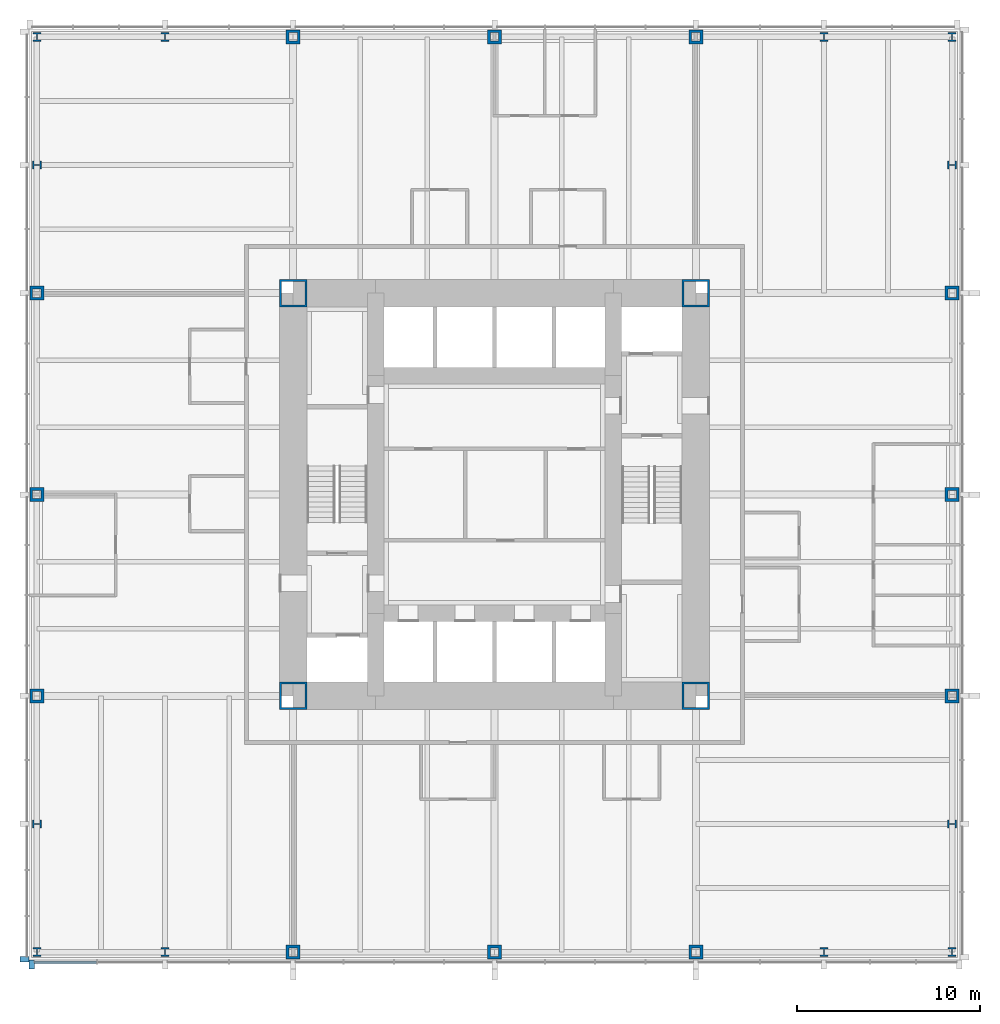
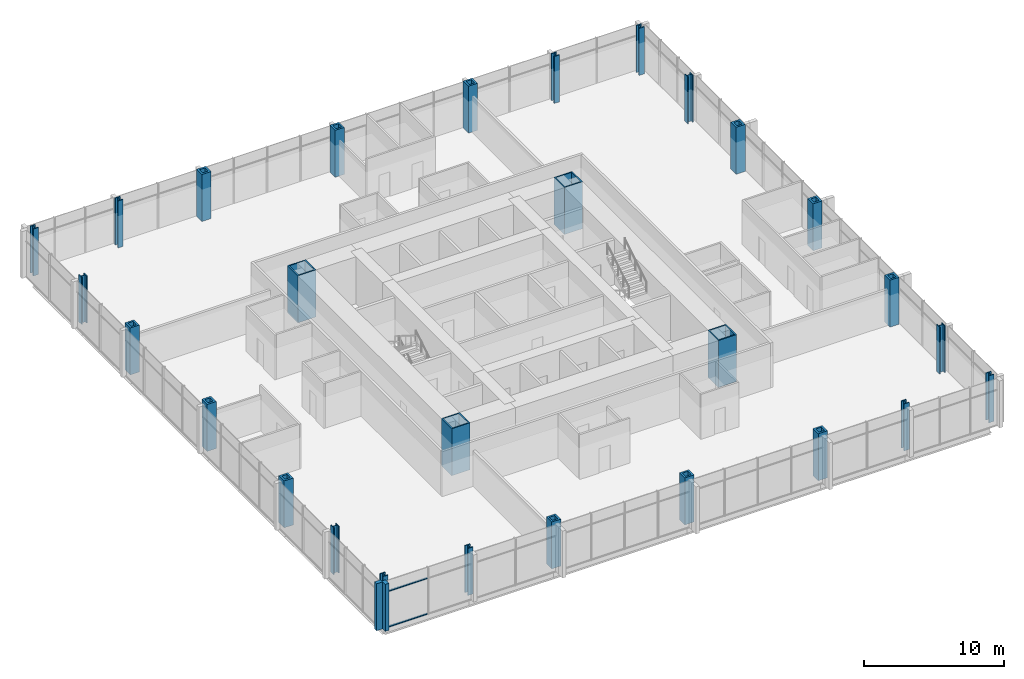
# One storey, part 1 of 12: 28 columns, 4 members, 2 elements without a shape of their own.
"""IFC4 building model written with IfcOpenShell, lengths in metres."""

import ifcopenshell
import ifcopenshell.guid

model = None  # the IFC model being written
_history = None  # IfcOwnerHistory: only IFC2X3 demands one
_inside = {}  # id of a spatial element -> (the spatial element, [elements in it])
_under = {}  # id of a project, library or spatial element -> (it, [spatial elements below it])
_declared = {}  # id of a project -> (the project, [libraries it declares])
_typed = {}  # id of a type object -> (the type object, [elements of that type])
_made_of = {}  # id of a material, layer set ... -> (it, [elements and type objects made of it])


def new_model(schema):
    """Start an empty IFC model of exactly this schema.

    Asked for "IFC4X3", IfcOpenShell would pick the latest addendum, in which some entities
    have other attributes; the version numbers below select the first issue.
    IFC2X3 requires an IfcOwnerHistory on every rooted entity: one is made here for all.
    """
    global model, _history
    if schema == "IFC4X3":
        model = ifcopenshell.file(schema_version=(4, 3, 0, 0))
    else:
        model = ifcopenshell.file(schema=schema)
    _inside.clear()
    _under.clear()
    _declared.clear()
    _typed.clear()
    _made_of.clear()
    _history = None
    if model.schema == "IFC2X3":
        org = make("IfcOrganization", Name="unknown")
        user = make(
            "IfcPersonAndOrganization",
            ThePerson=make("IfcPerson", FamilyName="unknown"),
            TheOrganization=org,
        )
        app = make(
            "IfcApplication",
            ApplicationDeveloper=org,
            Version="unknown",
            ApplicationFullName="unknown",
            ApplicationIdentifier="unknown",
        )
        _history = make(
            "IfcOwnerHistory",
            OwningUser=user,
            OwningApplication=app,
            ChangeAction="ADDED",
            CreationDate=0,
        )
    return model


def make(cls, **values):
    """One entity of the class cls with the attributes given. An attribute that is None is left unset."""
    return model.create_entity(
        cls, **{name: value for name, value in values.items() if value is not None}
    )


def rooted(cls, **values):
    """An entity with a GlobalId (a new one), such as an element, a storey or a relation."""
    return make(cls, GlobalId=ifcopenshell.guid.new(), OwnerHistory=_history, **values)


def si_unit(unit_type, name, prefix=None):
    """IfcSIUnit, for example si_unit("LENGTHUNIT", "METRE", prefix="MILLI")."""
    return make("IfcSIUnit", UnitType=unit_type, Prefix=prefix, Name=name)


def assignment(units):
    """IfcUnitAssignment: the units of a project."""
    return None if units is None else make("IfcUnitAssignment", Units=units)


def point(xyz):
    """IfcCartesianPoint."""
    return None if xyz is None else make("IfcCartesianPoint", Coordinates=xyz)


def direction(xyz):
    """IfcDirection."""
    return None if xyz is None else make("IfcDirection", DirectionRatios=xyz)


def frame(location, z_axis=None, x_axis=None):
    """IfcAxis2Placement3D, a coordinate frame: its origin and axes. An axis left out is left unset."""
    return make(
        "IfcAxis2Placement3D",
        Location=point(location),
        Axis=direction(z_axis),
        RefDirection=direction(x_axis),
    )


def frame_2d(location, x_axis=None):
    """IfcAxis2Placement2D, a coordinate frame in the plane: its origin and x axis."""
    return make(
        "IfcAxis2Placement2D", Location=point(location), RefDirection=direction(x_axis)
    )


def origin():
    """The frame at (0, 0, 0) with its axes left unset."""
    return frame((0.0, 0.0, 0.0))


def origin_2d():
    """The frame at (0, 0) in the plane with its x axis left unset."""
    return frame_2d((0.0, 0.0))


def place(relative_to, where):
    """IfcLocalPlacement: puts the frame where relative to a parent placement (None: the world)."""
    return make(
        "IfcLocalPlacement", PlacementRelTo=relative_to, RelativePlacement=where
    )


def context(
    kind, dimensions, precision=None, world=None, true_north=None, identifier=None
):
    """IfcGeometricRepresentationContext, for example the 3D "Model" context."""
    return make(
        "IfcGeometricRepresentationContext",
        ContextIdentifier=identifier,
        ContextType=kind,
        CoordinateSpaceDimension=dimensions,
        Precision=precision,
        WorldCoordinateSystem=world,
        TrueNorth=true_north,
    )


def subcontext(parent, identifier, kind, view, scale=None):
    """IfcGeometricRepresentationSubContext, for example "Body" below "Model"."""
    return make(
        "IfcGeometricRepresentationSubContext",
        ContextIdentifier=identifier,
        ContextType=kind,
        ParentContext=parent,
        TargetScale=scale,
        TargetView=view,
    )


def project(units=None, contexts=None):
    """IfcProject with its units and contexts."""
    return rooted(
        "IfcProject",
        Name="project",
        RepresentationContexts=contexts,
        UnitsInContext=assignment(units),
    )


def spatial(cls, under=None, at=None, **own):
    """A site, building, storey or space (cls), placed at a placement, below another one or the project."""
    s = rooted(cls, ObjectPlacement=at, **own)
    if under is not None:
        _under.setdefault(under.id(), (under, []))[1].append(s)
    return s


def profile(cls, at=None, kind="AREA", **sizes):
    """A parametric profile (cls). Its sizes go by their IFC names, for example OverallWidth=200.0."""
    return make(cls, ProfileType=kind, Position=at, **sizes)


def rectangle(**sizes):
    """IfcRectangleProfileDef."""
    return profile("IfcRectangleProfileDef", **sizes)


def hollow_rectangle(**sizes):
    """IfcRectangleHollowProfileDef."""
    return profile("IfcRectangleHollowProfileDef", **sizes)


def i_section(**sizes):
    """IfcIShapeProfileDef."""
    return profile("IfcIShapeProfileDef", **sizes)


def extrude(swept, where, along, depth):
    """IfcExtrudedAreaSolid: the profile swept, set in the frame where, extruded along a direction by depth."""
    return make(
        "IfcExtrudedAreaSolid",
        SweptArea=swept,
        Position=where,
        ExtrudedDirection=direction(along),
        Depth=depth,
    )


def shape(context_of_items, identifier, shape_type, items):
    """IfcShapeRepresentation: the items that make up one representation, for example the "Body"."""
    return make(
        "IfcShapeRepresentation",
        ContextOfItems=context_of_items,
        RepresentationIdentifier=identifier,
        RepresentationType=shape_type,
        Items=items,
    )


def material(Name=None, Category=None):
    """IfcMaterial."""
    return make("IfcMaterial", Name=Name, Category=Category)


def material_profile(
    of_material, cross_section, Name=None, Category=None, Priority=None
):
    """IfcMaterialProfile: a cross section and its material."""
    return make(
        "IfcMaterialProfile",
        Name=Name,
        Material=of_material,
        Profile=cross_section,
        Priority=Priority,
        Category=Category,
    )


def profile_set(profiles, Name=None, composite=None):
    """IfcMaterialProfileSet."""
    return make(
        "IfcMaterialProfileSet",
        Name=Name,
        MaterialProfiles=profiles,
        CompositeProfile=composite,
    )


def made_of(thing, what):
    """Note that an element or type object is made of a material, layer set ...; save() writes the relation."""
    if what is not None:
        _made_of.setdefault(what.id(), (what, []))[1].append(thing)
    return thing


def type_object(cls, material=None, **own):
    """A type object (cls), such as IfcWallType, which elements share."""
    return made_of(rooted(cls, **own), material)


def element(
    cls,
    number,
    at=None,
    inside=None,
    cuts=None,
    type_object=None,
    material=None,
    context=None,
    identifier="Body",
    shape_type=None,
    held_by="IfcProductDefinitionShape",
    body=None,
    shapes=None,
    **own,
):
    """One element of the class cls, such as IfcWall. Its Tag is "e" and its number.

    at: its placement. inside: the storey or other place that contains it. cuts: it is an
    opening in that element (IfcRelVoidsElement). A single representation is given by context,
    identifier, shape_type and body (its items); several are given by shapes. held_by: the class
    of the entity that holds the representations. save() writes the other relations.
    """
    e = rooted(cls, Tag="e%d" % number, ObjectPlacement=at, **own)
    if body is not None:
        shapes = [shape(context, identifier, shape_type, body)]
    if shapes is not None:
        e.Representation = make(held_by, Representations=shapes)
    if inside is not None:
        _inside.setdefault(inside.id(), (inside, []))[1].append(e)
    if cuts is not None:
        rooted(
            "IfcRelVoidsElement", RelatingBuildingElement=cuts, RelatedOpeningElement=e
        )
    if type_object is not None:
        _typed.setdefault(type_object.id(), (type_object, []))[1].append(e)
    return made_of(e, material)


def aggregate(whole, parts):
    """IfcRelAggregates: a whole, such as a stair, and the parts it consists of."""
    return rooted("IfcRelAggregates", RelatingObject=whole, RelatedObjects=parts)


def save(model, path):
    """Write the relations noted so far, then the file.

    IfcRelAggregates (storeys below a building ...), IfcRelContainedInSpatialStructure (elements
    in a storey), IfcRelDefinesByType, IfcRelAssociatesMaterial and IfcRelDeclares: one each for
    every whole, place, type object, material and project.
    """
    for whole, parts in _under.values():
        aggregate(whole, parts)
    for where, things in _inside.values():
        rooted(
            "IfcRelContainedInSpatialStructure",
            RelatedElements=things,
            RelatingStructure=where,
        )
    for kind, things in _typed.values():
        rooted("IfcRelDefinesByType", RelatedObjects=things, RelatingType=kind)
    for what, things in _made_of.values():
        rooted("IfcRelAssociatesMaterial", RelatedObjects=things, RelatingMaterial=what)
    for by, libraries in _declared.values():
        rooted("IfcRelDeclares", RelatingContext=by, RelatedDefinitions=libraries)
    model.write(path)


model = new_model("IFC4")

# Units and contexts
model_context = context("Model", 3, precision=1e-05, world=origin(), true_north=direction((0.0, 1.0)))
body_context = subcontext(model_context, "Body", "Model", "MODEL_VIEW")
ifc_project = project(units=[si_unit("LENGTHUNIT", "METRE"), si_unit("AREAUNIT", "SQUARE_METRE"), si_unit("VOLUMEUNIT", "CUBIC_METRE"), si_unit("PLANEANGLEUNIT", "RADIAN"), si_unit("MASSUNIT", "GRAM", prefix="KILO")], contexts=[model_context])

# Site, building, storey
site_placement = place(None, origin())
site = spatial("IfcSite", under=ifc_project, at=site_placement, CompositionType="ELEMENT")
building_placement = place(site_placement, origin())
building = spatial("IfcBuilding", under=site, at=building_placement, Name="Trevanion Tower", CompositionType="ELEMENT")
storey_placement = place(building_placement, frame((0.0, 0.0, 20.10009765625)))
storey = spatial("IfcBuildingStorey", under=building, at=storey_placement, Name="L04", CompositionType="ELEMENT", Elevation=20.10009765625)

# Columns
ifc_material_1 = material(Name="Steel ASTM A588 Grade 50", Category="steel")
ifc_material_profile_1 = material_profile(ifc_material_1, hollow_rectangle(XDim=0.761962890625, YDim=0.761962890625, WallThickness=0.15234375, at=origin_2d()), Name="BOX30X30X6")
ifc_profile_set_1 = profile_set([ifc_material_profile_1], Name="Steel ASTM A588 Grade 50")
column_type_1 = type_object("IfcColumnType", Name="C1 BOX30X30X6", PredefinedType="COLUMN", material=ifc_profile_set_1)
for number, where, z_axis, x_axis, name in (
    (1, (-25.0, 0.0, 0.0), (0.0, 0.0, 1.0), (0.0, 1.0, 0.0), "C1 3/H L04"),
    (2, (-25.0, -11.0, 0.0), (0.0, 0.0, 1.0), (0.0, 1.0, 0.0), "C1 3/F L04"),
    (3, (-11.0, -25.0, 0.0), (0.0, 0.0, 1.0), (1.0, 0.0, 0.0), "C1 8/A L04"),
    (4, (0.0, -25.0, 0.0), (0.0, 0.0, 1.0), (1.0, 0.0, 0.0), "C1 10/A L04"),
    (5, (11.0, -25.0, 0.0), (0.0, 0.0, 1.0), (1.0, 0.0, 0.0), "C1 12/A L04"),
    (6, (25.0, -11.0, 0.0), (0.0, 0.0, 1.0), (0.0, 1.0, 0.0), "C1 17/F L04"),
    (7, (25.0, 0.0, 0.0), (0.0, 0.0, 1.0), (0.0, 1.0, 0.0), "C1 17/H L04"),
    (8, (25.0, 11.0, 0.0), (0.0, 0.0, 1.0), (0.0, 1.0, 0.0), "C1 17/K L04"),
    (9, (11.0, 25.0, 0.0), (0.0, 0.0, 1.0), (1.0, 0.0, 0.0), "C1 12/Q L04"),
    (10, (0.0, 25.0, 0.0), (0.0, 0.0, 1.0), (1.0, 0.0, 0.0), "C1 10/Q L04"),
    (11, (-11.0, 25.0, 0.0), (0.0, 0.0, 1.0), (1.0, 0.0, 0.0), "C1 8/Q L04"),
    (12, (-25.0, 11.0, 0.0), (0.0, 0.0, 1.0), (0.0, 1.0, 0.0), "C1 3/K L04"),
):
    element("IfcColumn", number, at=place(storey_placement, frame(where, z_axis=z_axis, x_axis=x_axis)), inside=storey, type_object=column_type_1, Name=name, PredefinedType="COLUMN", context=body_context, shape_type="SweptSolid", body=[
        extrude(hollow_rectangle(XDim=0.761962890625, YDim=0.761962890625, WallThickness=0.15234375, at=origin_2d()), origin(), (0.0, 0.0, 1.0), 4.099853515625),
    ])
ifc_material_2 = material(Name="Steel ASTM A913 Grade 65", Category="steel")
ifc_material_profile_2 = material_profile(ifc_material_2, i_section(OverallWidth=0.4267578125, OverallDepth=0.482666015625, WebThickness=0.05126953125, FlangeThickness=0.08154296875, at=origin_2d()), Name="W14X455")
ifc_profile_set_2 = profile_set([ifc_material_profile_2], Name="Steel ASTM A913 Grade 65")
column_type_2 = type_object("IfcColumnType", Name="C2 W14X455", PredefinedType="COLUMN", material=ifc_profile_set_2)
for number, where, z_axis, x_axis, name in (
    (13, (-25.0, -18.0, 0.0), (0.0, 0.0, 1.0), (0.0, 1.0, 0.0), "C2 3/D L04"),
    (14, (-25.0, -25.0, 0.0), (0.0, 0.0, 1.0), (1.0, 0.0, 0.0), "C2 3/A L04"),
    (15, (-18.0, -25.0, 0.0), (0.0, 0.0, 1.0), (1.0, 0.0, 0.0), "C2 6/A L04"),
    (16, (18.0, -25.0, 0.0), (0.0, 0.0, 1.0), (1.0, 0.0, 0.0), "C2 14/A L04"),
    (17, (25.0, -25.0, 0.0), (0.0, 0.0, 1.0), (1.0, 0.0, 0.0), "C2 17/A L04"),
    (18, (25.0, -18.0, 0.0), (0.0, 0.0, 1.0), (0.0, 1.0, 0.0), "C2 17/D L04"),
    (19, (25.0, 18.0, 0.0), (0.0, 0.0, 1.0), (0.0, 1.0, 0.0), "C2 17/M L04"),
    (20, (25.0, 25.0, 0.0), (0.0, 0.0, 1.0), (1.0, 0.0, 0.0), "C2 17/Q L04"),
    (21, (18.0, 25.0, 0.0), (0.0, 0.0, 1.0), (1.0, 0.0, 0.0), "C2 14/Q L04"),
    (22, (-18.0, 25.0, 0.0), (0.0, 0.0, 1.0), (1.0, 0.0, 0.0), "C2 6/Q L04"),
    (23, (-25.0, 25.0, 0.0), (0.0, 0.0, 1.0), (1.0, 0.0, 0.0), "C2 3/Q L04"),
    (24, (-25.0, 18.0, 0.0), (0.0, 0.0, 1.0), (0.0, 1.0, 0.0), "C2 3/M L04"),
):
    element("IfcColumn", number, at=place(storey_placement, frame(where, z_axis=z_axis, x_axis=x_axis)), inside=storey, type_object=column_type_2, Name=name, PredefinedType="COLUMN", context=body_context, shape_type="SweptSolid", body=[
        extrude(i_section(OverallWidth=0.4267578125, OverallDepth=0.482666015625, WebThickness=0.05126953125, FlangeThickness=0.08154296875, at=origin_2d()), origin(), (0.0, 0.0, 1.0), 4.099853515625),
    ])
ifc_material_3 = material(Name="Steel ASTM A572 Grade 50", Category="steel")
ifc_material_profile_3 = material_profile(ifc_material_3, hollow_rectangle(XDim=1.49853515625, YDim=1.49853515625, WallThickness=0.1015625, at=origin_2d()), Name="BOX59X59X4")
ifc_profile_set_3 = profile_set([ifc_material_profile_3], Name="Steel ASTM A572 Grade 50")
column_type_3 = type_object("IfcColumnType", Name="CB1 BOX59X59X4", PredefinedType="COLUMN", material=ifc_profile_set_3)
for number, where, z_axis, x_axis, name in (
    (25, (11.0, 11.0, 0.0), (0.0, 0.0, 1.0), (1.0, 0.0, 0.0), "CB1 NE L04"),
    (26, (-11.0, 11.0, 0.0), (0.0, 0.0, 1.0), (1.0, 0.0, 0.0), "CB1 NW L04"),
    (27, (-11.0, -11.0, 0.0), (0.0, 0.0, 1.0), (1.0, 0.0, 0.0), "CB1 SW L04"),
    (28, (11.0, -11.0, 0.0), (0.0, 0.0, 1.0), (1.0, 0.0, 0.0), "CB1 SE L04"),
):
    element("IfcColumn", number, at=place(storey_placement, frame(where, z_axis=z_axis, x_axis=x_axis)), inside=storey, type_object=column_type_3, Name=name, PredefinedType="COLUMN", context=body_context, shape_type="SweptSolid", body=[
        extrude(hollow_rectangle(XDim=1.49853515625, YDim=1.49853515625, WallThickness=0.1015625, at=origin_2d()), origin(), (0.0, 0.0, 1.0), 4.099853515625),
    ])

# Curtain wall, member
ifc_material_4 = material(Name="Aluminium and glass", Category="aluminium")
curtain_wall_type = type_object("IfcCurtainWallType", Name="CW1 curtain wall", PredefinedType="USERDEFINED", material=ifc_material_4)
curtain_wall_1_placement = place(storey_placement, origin())
curtain_wall_1 = element("IfcCurtainWall", 29, at=curtain_wall_1_placement, inside=storey, type_object=curtain_wall_type, Name="CW1 L04 2", ObjectType="UNITISED CURTAIN WALL", PredefinedType="USERDEFINED")
ifc_material_5 = material(Name="Aluminium extrusion, anodised bronze", Category="aluminium")
ifc_material_profile_4 = material_profile(ifc_material_5, rectangle(XDim=0.300048828125, YDim=0.5, at=origin_2d()), Name="CW1 pier mullion")
ifc_profile_set_4 = profile_set([ifc_material_profile_4], Name="Aluminium extrusion, anodised bronze")
member_type_1 = type_object("IfcMemberType", Name="CW1 pier mullion", PredefinedType="MULLION", material=ifc_profile_set_4)
member_1_placement = place(storey_placement, frame((-25.675048828125, -25.39990234375, -0.190185546875), z_axis=(0.0, 0.0, 1.0), x_axis=(0.0, -1.0, 0.0)))
member_1 = element("IfcMember", 30, at=member_1_placement, type_object=member_type_1, Name="CW1 pier mullion 18", PredefinedType="MULLION", context=body_context, shape_type="SweptSolid", body=[
    extrude(rectangle(XDim=0.300048828125, YDim=0.5, at=origin_2d()), origin(), (0.0, 0.0, 1.0), 4.10009765625),
])
aggregate(curtain_wall_1, [member_1])

# Curtain wall, members
curtain_wall_2_placement = place(storey_placement, origin())
curtain_wall_2 = element("IfcCurtainWall", 31, at=curtain_wall_2_placement, inside=storey, type_object=curtain_wall_type, Name="CW1 L04 3", ObjectType="UNITISED CURTAIN WALL", PredefinedType="USERDEFINED")
member_2_placement = place(storey_placement, frame((-25.27001953125, -25.675048828125, -0.190185546875), z_axis=(0.0, 0.0, 1.0), x_axis=(1.0, 0.0, 0.0)))
member_2 = element("IfcMember", 32, at=member_2_placement, type_object=member_type_1, Name="CW1 pier mullion 1", PredefinedType="MULLION", context=body_context, shape_type="SweptSolid", body=[
    extrude(rectangle(XDim=0.300048828125, YDim=0.5, at=origin_2d()), origin(), (0.0, 0.0, 1.0), 4.10009765625),
])
ifc_material_6 = material(Name="Aluminium extrusion, anodised bronze", Category="aluminium")
ifc_material_profile_5 = material_profile(ifc_material_6, rectangle(XDim=0.14990234375, YDim=0.074951171875, at=origin_2d()), Name="CW1 transom")
ifc_profile_set_5 = profile_set([ifc_material_profile_5], Name="Aluminium extrusion, anodised bronze")
member_type_2 = type_object("IfcMemberType", Name="CW1 transom", PredefinedType="USERDEFINED", material=ifc_profile_set_5)
member_3_placement = place(storey_placement, frame((-25.1201171875, -25.550048828125, -0.152587890625), z_axis=(1.0, 0.0, 0.0), x_axis=(0.0, 1.0, 0.0)))
member_3 = element("IfcMember", 33, at=member_3_placement, type_object=member_type_2, Name="CW1 transom 1.1", ObjectType="TRANSOM", PredefinedType="USERDEFINED", context=body_context, shape_type="SweptSolid", body=[
    extrude(rectangle(XDim=0.14990234375, YDim=0.074951171875, at=origin_2d()), origin(), (0.0, 0.0, 1.0), 3.37255859375),
])
member_4_placement = place(storey_placement, frame((-25.1201171875, -25.550048828125, 2.9599609375), z_axis=(1.0, 0.0, 0.0), x_axis=(0.0, 1.0, 0.0)))
member_4 = element("IfcMember", 34, at=member_4_placement, type_object=member_type_2, Name="CW1 transom 1.2", ObjectType="TRANSOM", PredefinedType="USERDEFINED", context=body_context, shape_type="SweptSolid", body=[
    extrude(rectangle(XDim=0.14990234375, YDim=0.074951171875, at=origin_2d()), origin(), (0.0, 0.0, 1.0), 3.37255859375),
])
aggregate(curtain_wall_2, [member_2, member_3, member_4])

save(model, "model.ifc")
